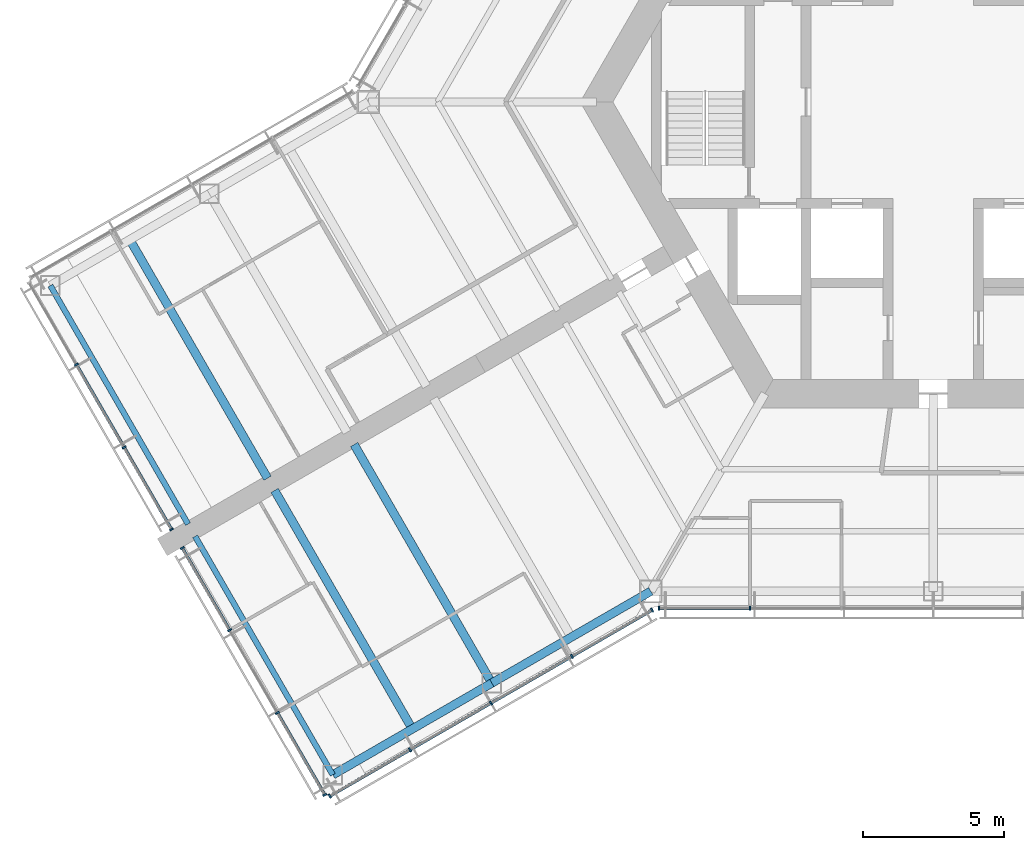
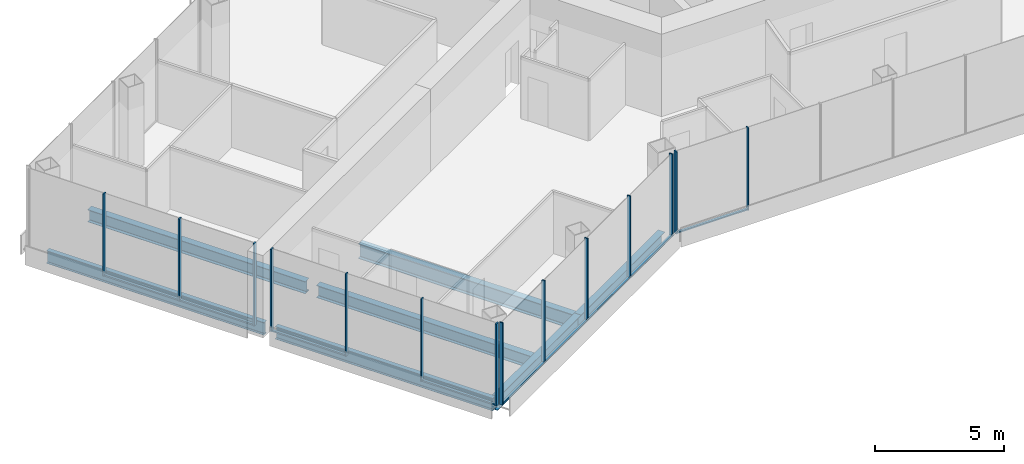
# One storey, part 2 of 18: 23 members, 7 beams, 4 elements without a shape of their own.
"""IFC4 building model written with IfcOpenShell, lengths in metres."""

import ifcopenshell
import ifcopenshell.guid

model = None  # the IFC model being written
_history = None  # IfcOwnerHistory: only IFC2X3 demands one
_inside = {}  # id of a spatial element -> (the spatial element, [elements in it])
_under = {}  # id of a project, library or spatial element -> (it, [spatial elements below it])
_declared = {}  # id of a project -> (the project, [libraries it declares])
_typed = {}  # id of a type object -> (the type object, [elements of that type])
_made_of = {}  # id of a material, layer set ... -> (it, [elements and type objects made of it])


def new_model(schema):
    """Start an empty IFC model of exactly this schema.

    Asked for "IFC4X3", IfcOpenShell would pick the latest addendum, in which some entities
    have other attributes; the version numbers below select the first issue.
    IFC2X3 requires an IfcOwnerHistory on every rooted entity: one is made here for all.
    """
    global model, _history
    if schema == "IFC4X3":
        model = ifcopenshell.file(schema_version=(4, 3, 0, 0))
    else:
        model = ifcopenshell.file(schema=schema)
    _inside.clear()
    _under.clear()
    _declared.clear()
    _typed.clear()
    _made_of.clear()
    _history = None
    if model.schema == "IFC2X3":
        org = make("IfcOrganization", Name="unknown")
        user = make(
            "IfcPersonAndOrganization",
            ThePerson=make("IfcPerson", FamilyName="unknown"),
            TheOrganization=org,
        )
        app = make(
            "IfcApplication",
            ApplicationDeveloper=org,
            Version="unknown",
            ApplicationFullName="unknown",
            ApplicationIdentifier="unknown",
        )
        _history = make(
            "IfcOwnerHistory",
            OwningUser=user,
            OwningApplication=app,
            ChangeAction="ADDED",
            CreationDate=0,
        )
    return model


def make(cls, **values):
    """One entity of the class cls with the attributes given. An attribute that is None is left unset."""
    return model.create_entity(
        cls, **{name: value for name, value in values.items() if value is not None}
    )


def rooted(cls, **values):
    """An entity with a GlobalId (a new one), such as an element, a storey or a relation."""
    return make(cls, GlobalId=ifcopenshell.guid.new(), OwnerHistory=_history, **values)


def si_unit(unit_type, name, prefix=None):
    """IfcSIUnit, for example si_unit("LENGTHUNIT", "METRE", prefix="MILLI")."""
    return make("IfcSIUnit", UnitType=unit_type, Prefix=prefix, Name=name)


def assignment(units):
    """IfcUnitAssignment: the units of a project."""
    return None if units is None else make("IfcUnitAssignment", Units=units)


def point(xyz):
    """IfcCartesianPoint."""
    return None if xyz is None else make("IfcCartesianPoint", Coordinates=xyz)


def direction(xyz):
    """IfcDirection."""
    return None if xyz is None else make("IfcDirection", DirectionRatios=xyz)


def frame(location, z_axis=None, x_axis=None):
    """IfcAxis2Placement3D, a coordinate frame: its origin and axes. An axis left out is left unset."""
    return make(
        "IfcAxis2Placement3D",
        Location=point(location),
        Axis=direction(z_axis),
        RefDirection=direction(x_axis),
    )


def frame_2d(location, x_axis=None):
    """IfcAxis2Placement2D, a coordinate frame in the plane: its origin and x axis."""
    return make(
        "IfcAxis2Placement2D", Location=point(location), RefDirection=direction(x_axis)
    )


def origin():
    """The frame at (0, 0, 0) with its axes left unset."""
    return frame((0.0, 0.0, 0.0))


def origin_2d():
    """The frame at (0, 0) in the plane with its x axis left unset."""
    return frame_2d((0.0, 0.0))


def place(relative_to, where):
    """IfcLocalPlacement: puts the frame where relative to a parent placement (None: the world)."""
    return make(
        "IfcLocalPlacement", PlacementRelTo=relative_to, RelativePlacement=where
    )


def context(
    kind, dimensions, precision=None, world=None, true_north=None, identifier=None
):
    """IfcGeometricRepresentationContext, for example the 3D "Model" context."""
    return make(
        "IfcGeometricRepresentationContext",
        ContextIdentifier=identifier,
        ContextType=kind,
        CoordinateSpaceDimension=dimensions,
        Precision=precision,
        WorldCoordinateSystem=world,
        TrueNorth=true_north,
    )


def subcontext(parent, identifier, kind, view, scale=None):
    """IfcGeometricRepresentationSubContext, for example "Body" below "Model"."""
    return make(
        "IfcGeometricRepresentationSubContext",
        ContextIdentifier=identifier,
        ContextType=kind,
        ParentContext=parent,
        TargetScale=scale,
        TargetView=view,
    )


def project(units=None, contexts=None):
    """IfcProject with its units and contexts."""
    return rooted(
        "IfcProject",
        Name="project",
        RepresentationContexts=contexts,
        UnitsInContext=assignment(units),
    )


def spatial(cls, under=None, at=None, **own):
    """A site, building, storey or space (cls), placed at a placement, below another one or the project."""
    s = rooted(cls, ObjectPlacement=at, **own)
    if under is not None:
        _under.setdefault(under.id(), (under, []))[1].append(s)
    return s


def profile(cls, at=None, kind="AREA", **sizes):
    """A parametric profile (cls). Its sizes go by their IFC names, for example OverallWidth=200.0."""
    return make(cls, ProfileType=kind, Position=at, **sizes)


def rectangle(**sizes):
    """IfcRectangleProfileDef."""
    return profile("IfcRectangleProfileDef", **sizes)


def i_section(**sizes):
    """IfcIShapeProfileDef."""
    return profile("IfcIShapeProfileDef", **sizes)


def extrude(swept, where, along, depth):
    """IfcExtrudedAreaSolid: the profile swept, set in the frame where, extruded along a direction by depth."""
    return make(
        "IfcExtrudedAreaSolid",
        SweptArea=swept,
        Position=where,
        ExtrudedDirection=direction(along),
        Depth=depth,
    )


def shape(context_of_items, identifier, shape_type, items):
    """IfcShapeRepresentation: the items that make up one representation, for example the "Body"."""
    return make(
        "IfcShapeRepresentation",
        ContextOfItems=context_of_items,
        RepresentationIdentifier=identifier,
        RepresentationType=shape_type,
        Items=items,
    )


def material(Name=None, Category=None):
    """IfcMaterial."""
    return make("IfcMaterial", Name=Name, Category=Category)


def material_profile(
    of_material, cross_section, Name=None, Category=None, Priority=None
):
    """IfcMaterialProfile: a cross section and its material."""
    return make(
        "IfcMaterialProfile",
        Name=Name,
        Material=of_material,
        Profile=cross_section,
        Priority=Priority,
        Category=Category,
    )


def profile_set(profiles, Name=None, composite=None):
    """IfcMaterialProfileSet."""
    return make(
        "IfcMaterialProfileSet",
        Name=Name,
        MaterialProfiles=profiles,
        CompositeProfile=composite,
    )


def made_of(thing, what):
    """Note that an element or type object is made of a material, layer set ...; save() writes the relation."""
    if what is not None:
        _made_of.setdefault(what.id(), (what, []))[1].append(thing)
    return thing


def type_object(cls, material=None, **own):
    """A type object (cls), such as IfcWallType, which elements share."""
    return made_of(rooted(cls, **own), material)


def element(
    cls,
    number,
    at=None,
    inside=None,
    cuts=None,
    type_object=None,
    material=None,
    context=None,
    identifier="Body",
    shape_type=None,
    held_by="IfcProductDefinitionShape",
    body=None,
    shapes=None,
    **own,
):
    """One element of the class cls, such as IfcWall. Its Tag is "e" and its number.

    at: its placement. inside: the storey or other place that contains it. cuts: it is an
    opening in that element (IfcRelVoidsElement). A single representation is given by context,
    identifier, shape_type and body (its items); several are given by shapes. held_by: the class
    of the entity that holds the representations. save() writes the other relations.
    """
    e = rooted(cls, Tag="e%d" % number, ObjectPlacement=at, **own)
    if body is not None:
        shapes = [shape(context, identifier, shape_type, body)]
    if shapes is not None:
        e.Representation = make(held_by, Representations=shapes)
    if inside is not None:
        _inside.setdefault(inside.id(), (inside, []))[1].append(e)
    if cuts is not None:
        rooted(
            "IfcRelVoidsElement", RelatingBuildingElement=cuts, RelatedOpeningElement=e
        )
    if type_object is not None:
        _typed.setdefault(type_object.id(), (type_object, []))[1].append(e)
    return made_of(e, material)


def aggregate(whole, parts):
    """IfcRelAggregates: a whole, such as a stair, and the parts it consists of."""
    return rooted("IfcRelAggregates", RelatingObject=whole, RelatedObjects=parts)


def save(model, path):
    """Write the relations noted so far, then the file.

    IfcRelAggregates (storeys below a building ...), IfcRelContainedInSpatialStructure (elements
    in a storey), IfcRelDefinesByType, IfcRelAssociatesMaterial and IfcRelDeclares: one each for
    every whole, place, type object, material and project.
    """
    for whole, parts in _under.values():
        aggregate(whole, parts)
    for where, things in _inside.values():
        rooted(
            "IfcRelContainedInSpatialStructure",
            RelatedElements=things,
            RelatingStructure=where,
        )
    for kind, things in _typed.values():
        rooted("IfcRelDefinesByType", RelatedObjects=things, RelatingType=kind)
    for what, things in _made_of.values():
        rooted("IfcRelAssociatesMaterial", RelatedObjects=things, RelatingMaterial=what)
    for by, libraries in _declared.values():
        rooted("IfcRelDeclares", RelatingContext=by, RelatedDefinitions=libraries)
    model.write(path)


model = new_model("IFC4")

# Units and contexts
model_context = context("Model", 3, precision=1e-05, world=origin(), true_north=direction((0.0, 1.0)))
body_context = subcontext(model_context, "Body", "Model", "MODEL_VIEW")
ifc_project = project(units=[si_unit("LENGTHUNIT", "METRE"), si_unit("AREAUNIT", "SQUARE_METRE"), si_unit("VOLUMEUNIT", "CUBIC_METRE"), si_unit("PLANEANGLEUNIT", "RADIAN"), si_unit("MASSUNIT", "GRAM", prefix="KILO")], contexts=[model_context])

# Site, building, storey
site_placement = place(None, origin())
site = spatial("IfcSite", under=ifc_project, at=site_placement, CompositionType="ELEMENT")
building_placement = place(site_placement, origin())
building = spatial("IfcBuilding", under=site, at=building_placement, Name="Kasaneha Research Tower", CompositionType="ELEMENT")
storey_placement = place(building_placement, frame((0.0, 0.0, 195.5)))
storey = spatial("IfcBuildingStorey", under=building, at=storey_placement, Name="L49", CompositionType="ELEMENT", Elevation=195.5)

# Beams
ifc_material_1 = material(Name="Steel SN490B", Category="steel")
ifc_material_profile_1 = material_profile(ifc_material_1, i_section(OverallWidth=0.300048828125, OverallDepth=0.58203125, WebThickness=0.011962890625, FlangeThickness=0.01708984375, FilletRadius=0.012939453125, at=origin_2d()), Name="H-582x300x12x17")
ifc_profile_set_1 = profile_set([ifc_material_profile_1], Name="Steel SN490B")
beam_type_1 = type_object("IfcBeamType", Name="B2-3 secondary beam H-582x300x12x17", PredefinedType="JOIST", material=ifc_profile_set_1)
for number, where, z_axis, x_axis, name in (
    (1, (-28.44384765625, -4.875, -0.44091796875), (0.499995560238, -0.866027967067, 0.0), (0.866027967067, 0.499995560238, 0.0), "Secondary beam WBBP2 L49"),
    (2, (-18.44384765625, -22.195556640625, -0.44091796875), (-0.499995560238, 0.866027967067, 0.0), (-0.866027967067, -0.499995560238, 0.0), "Secondary beam WBBN2 L49"),
):
    element("IfcBeam", number, at=place(storey_placement, frame(where, z_axis=z_axis, x_axis=x_axis)), inside=storey, type_object=beam_type_1, Name=name, PredefinedType="JOIST", context=body_context, shape_type="SweptSolid", body=[
        extrude(i_section(OverallWidth=0.300048828125, OverallDepth=0.58203125, WebThickness=0.011962890625, FlangeThickness=0.01708984375, FilletRadius=0.012939453125, at=origin_2d()), origin(), (0.0, 0.0, 1.0), 9.75),
    ])

# Curtain wall, members
ifc_material_2 = material(Name="Glass and aluminium", Category="aluminium")
curtain_wall_type = type_object("IfcCurtainWallType", Name="Mid-rise office curtain wall", PredefinedType="USERDEFINED", material=ifc_material_2)
curtain_wall_1_placement = place(storey_placement, origin())
curtain_wall_1 = element("IfcCurtainWall", 3, at=curtain_wall_1_placement, inside=storey, type_object=curtain_wall_type, Name="CW-O2 L49 run 01a", ObjectType="UNITISED CURTAIN WALL", PredefinedType="USERDEFINED")
ifc_material_3 = material(Name="Aluminium 6063-T6", Category="aluminium")
ifc_material_profile_2 = material_profile(ifc_material_3, rectangle(XDim=0.06005859375, YDim=0.14990234375, at=origin_2d()), Name="CW-O2 mullion 60x150")
ifc_profile_set_2 = profile_set([ifc_material_profile_2], Name="Aluminium 6063-T6")
member_type_1 = type_object("IfcMemberType", Name="CW-O2 mullion", PredefinedType="MULLION", material=ifc_profile_set_2)
member_1_placement = place(storey_placement, frame((-9.709228515625, -17.92041015625, 0.0), z_axis=(0.0, 0.0, 1.0), x_axis=(1.0, 0.0, 0.0)))
member_1 = element("IfcMember", 4, at=member_1_placement, type_object=member_type_1, Name="CW-O2 mullion 1", PredefinedType="MULLION", context=body_context, shape_type="SweptSolid", body=[
    extrude(rectangle(XDim=0.06005859375, YDim=0.14990234375, at=origin_2d()), origin(), (0.0, 0.0, 1.0), 3.89990234375),
])
member_2_placement = place(storey_placement, frame((-6.492919921875, -17.92041015625, 0.0), z_axis=(0.0, 0.0, 1.0), x_axis=(1.0, 0.0, 0.0)))
member_2 = element("IfcMember", 5, at=member_2_placement, type_object=member_type_1, Name="CW-O2 mullion 2", PredefinedType="MULLION", context=body_context, shape_type="SweptSolid", body=[
    extrude(rectangle(XDim=0.06005859375, YDim=0.14990234375, at=origin_2d()), origin(), (0.0, 0.0, 1.0), 3.89990234375),
])

curtain_wall_2_placement = place(storey_placement, origin())
curtain_wall_2 = element("IfcCurtainWall", 6, at=curtain_wall_2_placement, inside=storey, type_object=curtain_wall_type, Name="CW-O2 L49 run 10a", ObjectType="UNITISED CURTAIN WALL", PredefinedType="USERDEFINED")
member_3_placement = place(storey_placement, frame((-30.336181640625, -9.297119140625, 0.0), z_axis=(0.0, 0.0, 1.0), x_axis=(0.500000011442, -0.866025397178, 0.0)))
member_3 = element("IfcMember", 7, at=member_3_placement, type_object=member_type_1, Name="CW-O2 mullion 2", PredefinedType="MULLION", context=body_context, shape_type="SweptSolid", body=[
    extrude(rectangle(XDim=0.06005859375, YDim=0.14990234375, at=origin_2d()), origin(), (0.0, 0.0, 1.0), 3.89990234375),
])
member_4_placement = place(storey_placement, frame((-28.64453125, -12.22705078125, 0.0), z_axis=(0.0, 0.0, 1.0), x_axis=(0.500000011442, -0.866025397178, 0.0)))
member_4 = element("IfcMember", 8, at=member_4_placement, type_object=member_type_1, Name="CW-O2 mullion 3", PredefinedType="MULLION", context=body_context, shape_type="SweptSolid", body=[
    extrude(rectangle(XDim=0.06005859375, YDim=0.14990234375, at=origin_2d()), origin(), (0.0, 0.0, 1.0), 3.89990234375),
])
member_5_placement = place(storey_placement, frame((-26.968017578125, -15.131103515625, 0.0), z_axis=(0.0, 0.0, 1.0), x_axis=(0.500000011442, -0.866025397178, 0.0)))
member_5 = element("IfcMember", 9, at=member_5_placement, type_object=member_type_1, Name="CW-O2 mullion 4", PredefinedType="MULLION", context=body_context, shape_type="SweptSolid", body=[
    extrude(rectangle(XDim=0.06005859375, YDim=0.14990234375, at=origin_2d()), origin(), (0.0, 0.0, 1.0), 3.89990234375),
])

curtain_wall_3_placement = place(storey_placement, origin())
curtain_wall_3 = element("IfcCurtainWall", 10, at=curtain_wall_3_placement, inside=storey, type_object=curtain_wall_type, Name="CW-O2 L49 run 11a", ObjectType="UNITISED CURTAIN WALL", PredefinedType="USERDEFINED")
member_6_placement = place(storey_placement, frame((-26.587890625, -15.789306640625, 0.0), z_axis=(0.0, 0.0, 1.0), x_axis=(0.500000011442, -0.866025397178, 0.0)))
member_6 = element("IfcMember", 11, at=member_6_placement, type_object=member_type_1, Name="CW-O2 mullion 1", PredefinedType="MULLION", context=body_context, shape_type="SweptSolid", body=[
    extrude(rectangle(XDim=0.06005859375, YDim=0.14990234375, at=origin_2d()), origin(), (0.0, 0.0, 1.0), 3.89990234375),
])
member_7_placement = place(storey_placement, frame((-24.911376953125, -18.693359375, 0.0), z_axis=(0.0, 0.0, 1.0), x_axis=(0.500000011442, -0.866025397178, 0.0)))
member_7 = element("IfcMember", 12, at=member_7_placement, type_object=member_type_1, Name="CW-O2 mullion 2", PredefinedType="MULLION", context=body_context, shape_type="SweptSolid", body=[
    extrude(rectangle(XDim=0.06005859375, YDim=0.14990234375, at=origin_2d()), origin(), (0.0, 0.0, 1.0), 3.89990234375),
])
member_8_placement = place(storey_placement, frame((-23.2197265625, -21.62353515625, 0.0), z_axis=(0.0, 0.0, 1.0), x_axis=(0.500000011442, -0.866025397178, 0.0)))
member_8 = element("IfcMember", 13, at=member_8_placement, type_object=member_type_1, Name="CW-O2 mullion 3", PredefinedType="MULLION", context=body_context, shape_type="SweptSolid", body=[
    extrude(rectangle(XDim=0.06005859375, YDim=0.14990234375, at=origin_2d()), origin(), (0.0, 0.0, 1.0), 3.89990234375),
])
member_9_placement = place(storey_placement, frame((-21.54296875, -24.527587890625, 0.0), z_axis=(0.0, 0.0, 1.0), x_axis=(0.500000011442, -0.866025397178, 0.0)))
member_9 = element("IfcMember", 14, at=member_9_placement, type_object=member_type_1, Name="CW-O2 mullion 4", PredefinedType="MULLION", context=body_context, shape_type="SweptSolid", body=[
    extrude(rectangle(XDim=0.06005859375, YDim=0.14990234375, at=origin_2d()), origin(), (0.0, 0.0, 1.0), 3.89990234375),
])

curtain_wall_4_placement = place(storey_placement, origin())
curtain_wall_4 = element("IfcCurtainWall", 15, at=curtain_wall_4_placement, inside=storey, type_object=curtain_wall_type, Name="CW-O2 L49 run 12a", ObjectType="UNITISED CURTAIN WALL", PredefinedType="USERDEFINED")
member_10_placement = place(storey_placement, frame((-21.365478515625, -24.5751953125, 0.0), z_axis=(0.0, 0.0, 1.0), x_axis=(0.866025411464, 0.499999986699, 0.0)))
member_10 = element("IfcMember", 16, at=member_10_placement, type_object=member_type_1, Name="CW-O2 mullion 1", PredefinedType="MULLION", context=body_context, shape_type="SweptSolid", body=[
    extrude(rectangle(XDim=0.06005859375, YDim=0.14990234375, at=origin_2d()), origin(), (0.0, 0.0, 1.0), 3.89990234375),
])
member_11_placement = place(storey_placement, frame((-18.52490234375, -22.935302734375, 0.0), z_axis=(0.0, 0.0, 1.0), x_axis=(0.866025411464, 0.499999986699, 0.0)))
member_11 = element("IfcMember", 17, at=member_11_placement, type_object=member_type_1, Name="CW-O2 mullion 2", PredefinedType="MULLION", context=body_context, shape_type="SweptSolid", body=[
    extrude(rectangle(XDim=0.06005859375, YDim=0.14990234375, at=origin_2d()), origin(), (0.0, 0.0, 1.0), 3.89990234375),
])
member_12_placement = place(storey_placement, frame((-15.65869140625, -21.2802734375, 0.0), z_axis=(0.0, 0.0, 1.0), x_axis=(0.866025411464, 0.499999986699, 0.0)))
member_12 = element("IfcMember", 18, at=member_12_placement, type_object=member_type_1, Name="CW-O2 mullion 3", PredefinedType="MULLION", context=body_context, shape_type="SweptSolid", body=[
    extrude(rectangle(XDim=0.06005859375, YDim=0.14990234375, at=origin_2d()), origin(), (0.0, 0.0, 1.0), 3.89990234375),
])
member_13_placement = place(storey_placement, frame((-12.792236328125, -19.62548828125, 0.0), z_axis=(0.0, 0.0, 1.0), x_axis=(0.866025411464, 0.499999986699, 0.0)))
member_13 = element("IfcMember", 19, at=member_13_placement, type_object=member_type_1, Name="CW-O2 mullion 4", PredefinedType="MULLION", context=body_context, shape_type="SweptSolid", body=[
    extrude(rectangle(XDim=0.06005859375, YDim=0.14990234375, at=origin_2d()), origin(), (0.0, 0.0, 1.0), 3.89990234375),
])
member_14_placement = place(storey_placement, frame((-9.951904296875, -17.985595703125, 0.0), z_axis=(0.0, 0.0, 1.0), x_axis=(0.866025411464, 0.499999986699, 0.0)))
member_14 = element("IfcMember", 20, at=member_14_placement, type_object=member_type_1, Name="CW-O2 mullion 5", PredefinedType="MULLION", context=body_context, shape_type="SweptSolid", body=[
    extrude(rectangle(XDim=0.06005859375, YDim=0.14990234375, at=origin_2d()), origin(), (0.0, 0.0, 1.0), 3.89990234375),
])

# Member
ifc_material_4 = material(Name="Aluminium 6063-T6", Category="aluminium")
ifc_material_profile_3 = material_profile(ifc_material_4, rectangle(XDim=0.110107421875, YDim=0.06005859375, at=origin_2d()), Name="CW-O2 transom 110x60")
ifc_profile_set_3 = profile_set([ifc_material_profile_3], Name="Aluminium 6063-T6")
member_type_2 = type_object("IfcMemberType", Name="CW-O2 transom", PredefinedType="USERDEFINED", material=ifc_profile_set_3)
member_15_placement = place(storey_placement, frame((-9.67919921875, -17.92041015625, 0.030029296875), z_axis=(1.0, 0.0, 0.0), x_axis=(0.0, 1.0, 0.0)))
member_15 = element("IfcMember", 21, at=member_15_placement, type_object=member_type_2, Name="CW-O2 transom 1", ObjectType="TRANSOM", PredefinedType="USERDEFINED", context=body_context, shape_type="SweptSolid", body=[
    extrude(rectangle(XDim=0.110107421875, YDim=0.06005859375, at=origin_2d()), origin(), (0.0, 0.0, 1.0), 3.156494140625),
])

aggregate(curtain_wall_1, [member_1, member_2, member_15])

member_16_placement = place(storey_placement, frame((-30.3212890625, -9.322998046875, 0.030029296875), z_axis=(0.499978935311, -0.866037565146, 0.0), x_axis=(0.866037565146, 0.499978935311, 0.0)))
member_16 = element("IfcMember", 22, at=member_16_placement, type_object=member_type_2, Name="CW-O2 transom 2", ObjectType="TRANSOM", PredefinedType="USERDEFINED", context=body_context, shape_type="SweptSolid", body=[
    extrude(rectangle(XDim=0.110107421875, YDim=0.06005859375, at=origin_2d()), origin(), (0.0, 0.0, 1.0), 3.323486328125),
])

member_17_placement = place(storey_placement, frame((-28.629638671875, -12.253173828125, 0.030029296875), z_axis=(0.500021914551, -0.866012751043, 0.0), x_axis=(0.866012751043, 0.500021914551, 0.0)))
member_17 = element("IfcMember", 23, at=member_17_placement, type_object=member_type_2, Name="CW-O2 transom 3", ObjectType="TRANSOM", PredefinedType="USERDEFINED", context=body_context, shape_type="SweptSolid", body=[
    extrude(rectangle(XDim=0.110107421875, YDim=0.06005859375, at=origin_2d()), origin(), (0.0, 0.0, 1.0), 3.293212890625),
])

aggregate(curtain_wall_2, [member_3, member_4, member_5, member_16, member_17])

member_18_placement = place(storey_placement, frame((-26.572998046875, -15.8154296875, 0.030029296875), z_axis=(0.500021914551, -0.866012751043, 0.0), x_axis=(0.866012751043, 0.500021914551, 0.0)))
member_18 = element("IfcMember", 24, at=member_18_placement, type_object=member_type_2, Name="CW-O2 transom 1", ObjectType="TRANSOM", PredefinedType="USERDEFINED", context=body_context, shape_type="SweptSolid", body=[
    extrude(rectangle(XDim=0.110107421875, YDim=0.06005859375, at=origin_2d()), origin(), (0.0, 0.0, 1.0), 3.293212890625),
])

member_19_placement = place(storey_placement, frame((-23.20458984375, -21.6494140625, 0.030029296875), z_axis=(0.500021914551, -0.866012751043, 0.0), x_axis=(0.866012751043, 0.500021914551, 0.0)))
member_19 = element("IfcMember", 25, at=member_19_placement, type_object=member_type_2, Name="CW-O2 transom 3", ObjectType="TRANSOM", PredefinedType="USERDEFINED", context=body_context, shape_type="SweptSolid", body=[
    extrude(rectangle(XDim=0.110107421875, YDim=0.06005859375, at=origin_2d()), origin(), (0.0, 0.0, 1.0), 3.293212890625),
])

aggregate(curtain_wall_3, [member_6, member_7, member_8, member_9, member_18, member_19])

member_20_placement = place(storey_placement, frame((-21.33935546875, -24.56005859375, 0.030029296875), z_axis=(0.866022692473, 0.500004696101, 0.0), x_axis=(-0.500004696101, 0.866022692473, 0.0)))
member_20 = element("IfcMember", 26, at=member_20_placement, type_object=member_type_2, Name="CW-O2 transom 1", ObjectType="TRANSOM", PredefinedType="USERDEFINED", context=body_context, shape_type="SweptSolid", body=[
    extrude(rectangle(XDim=0.110107421875, YDim=0.06005859375, at=origin_2d()), origin(), (0.0, 0.0, 1.0), 3.2197265625),
])

member_21_placement = place(storey_placement, frame((-18.4990234375, -22.920166015625, 0.030029296875), z_axis=(0.86604797581, 0.499960902066, 0.0), x_axis=(-0.499960902066, 0.86604797581, 0.0)))
member_21 = element("IfcMember", 27, at=member_21_placement, type_object=member_type_2, Name="CW-O2 transom 2", ObjectType="TRANSOM", PredefinedType="USERDEFINED", context=body_context, shape_type="SweptSolid", body=[
    extrude(rectangle(XDim=0.110107421875, YDim=0.06005859375, at=origin_2d()), origin(), (0.0, 0.0, 1.0), 3.249755859375),
])

member_22_placement = place(storey_placement, frame((-15.632568359375, -21.265380859375, 0.030029296875), z_axis=(0.866015446554, 0.500017246033, 0.0), x_axis=(-0.500017246033, 0.866015446554, 0.0)))
member_22 = element("IfcMember", 28, at=member_22_placement, type_object=member_type_2, Name="CW-O2 transom 3", ObjectType="TRANSOM", PredefinedType="USERDEFINED", context=body_context, shape_type="SweptSolid", body=[
    extrude(rectangle(XDim=0.110107421875, YDim=0.06005859375, at=origin_2d()), origin(), (0.0, 0.0, 1.0), 3.25),
])

member_23_placement = place(storey_placement, frame((-12.76611328125, -19.6103515625, 0.030029296875), z_axis=(0.866022692473, 0.500004696101, 0.0), x_axis=(-0.500004696101, 0.866022692473, 0.0)))
member_23 = element("IfcMember", 29, at=member_23_placement, type_object=member_type_2, Name="CW-O2 transom 4", ObjectType="TRANSOM", PredefinedType="USERDEFINED", context=body_context, shape_type="SweptSolid", body=[
    extrude(rectangle(XDim=0.110107421875, YDim=0.06005859375, at=origin_2d()), origin(), (0.0, 0.0, 1.0), 3.2197265625),
])

aggregate(curtain_wall_4, [member_10, member_11, member_12, member_13, member_14, member_20, member_21, member_22, member_23])

# Beams
ifc_material_5 = material(Name="Steel SN490B", Category="steel")
ifc_material_profile_4 = material_profile(ifc_material_5, i_section(OverallWidth=0.300048828125, OverallDepth=0.699951171875, WebThickness=0.012939453125, FlangeThickness=0.02392578125, FilletRadius=0.01806640625, at=origin_2d()), Name="H-700x300x13x24")
ifc_profile_set_4 = profile_set([ifc_material_profile_4], Name="Steel SN490B")
beam_type_2 = type_object("IfcBeamType", Name="G4-3 wing girder H-700x300x13x24", PredefinedType="BEAM", material=ifc_profile_set_4)
beam_placement = place(storey_placement, frame((-15.629150390625, -20.570556640625, -0.5), z_axis=(-0.499995560238, 0.866027967067, 0.0), x_axis=(-0.866027967067, -0.499995560238, 0.0)))
element("IfcBeam", 30, at=beam_placement, inside=storey, type_object=beam_type_2, Name="Wing girder WGBN L49", PredefinedType="BEAM", context=body_context, shape_type="SweptSolid", body=[
    extrude(i_section(OverallWidth=0.300048828125, OverallDepth=0.699951171875, WebThickness=0.012939453125, FlangeThickness=0.02392578125, FilletRadius=0.01806640625, at=origin_2d()), origin(), (0.0, 0.0, 1.0), 9.75),
])
ifc_material_6 = material(Name="Steel SN490B", Category="steel")
ifc_material_profile_5 = material_profile(ifc_material_6, i_section(OverallWidth=0.300048828125, OverallDepth=0.58203125, WebThickness=0.011962890625, FlangeThickness=0.01708984375, FilletRadius=0.012939453125, at=origin_2d()), Name="H-582x300x12x17")
ifc_profile_set_5 = profile_set([ifc_material_profile_5], Name="Steel SN490B")
beam_type_3 = type_object("IfcBeamType", Name="SB2-3 spandrel beam H-582x300x12x17", PredefinedType="SPANDREL", material=ifc_profile_set_5)
for number, where, z_axis, x_axis, name in (
    (31, (-10.0, -17.320556640625, -0.44091796875), (-0.866024837091, -0.50000098154, 0.0), (0.50000098154, -0.866024837091, 0.0), "Spandrel beam WSBN1 L49"),
    (32, (-15.629150390625, -20.570556640625, -0.44091796875), (-0.866024837091, -0.50000098154, 0.0), (0.50000098154, -0.866024837091, 0.0), "Spandrel beam WSBN2 L49"),
):
    element("IfcBeam", number, at=place(storey_placement, frame(where, z_axis=z_axis, x_axis=x_axis)), inside=storey, type_object=beam_type_3, Name=name, PredefinedType="SPANDREL", context=body_context, shape_type="SweptSolid", body=[
        extrude(i_section(OverallWidth=0.300048828125, OverallDepth=0.58203125, WebThickness=0.011962890625, FlangeThickness=0.01708984375, FilletRadius=0.012939453125, at=origin_2d()), origin(), (0.0, 0.0, 1.0), 6.5),
    ])
ifc_material_7 = material(Name="Steel SN490B", Category="steel")
ifc_material_profile_6 = material_profile(ifc_material_7, i_section(OverallWidth=0.199951171875, OverallDepth=0.60009765625, WebThickness=0.010986328125, FlangeThickness=0.01708984375, FilletRadius=0.012939453125, at=origin_2d()), Name="H-600x200x11x17")
ifc_profile_set_6 = profile_set([ifc_material_profile_6], Name="Steel SN490B")
beam_type_4 = type_object("IfcBeamType", Name="SB3-3 spandrel beam H-600x200x11x17", PredefinedType="SPANDREL", material=ifc_profile_set_6)
for number, where, z_axis, x_axis, name in (
    (33, (-31.25830078125, -6.5, -0.449951171875), (0.499995560238, -0.866027967067, 0.0), (0.866027967067, 0.499995560238, 0.0), "Spandrel beam WTBP L49"),
    (34, (-21.25830078125, -23.820556640625, -0.449951171875), (-0.499995560238, 0.866027967067, 0.0), (-0.866027967067, -0.499995560238, 0.0), "Spandrel beam WTBN L49"),
):
    element("IfcBeam", number, at=place(storey_placement, frame(where, z_axis=z_axis, x_axis=x_axis)), inside=storey, type_object=beam_type_4, Name=name, PredefinedType="SPANDREL", context=body_context, shape_type="SweptSolid", body=[
        extrude(i_section(OverallWidth=0.199951171875, OverallDepth=0.60009765625, WebThickness=0.010986328125, FlangeThickness=0.01708984375, FilletRadius=0.012939453125, at=origin_2d()), origin(), (0.0, 0.0, 1.0), 9.75),
    ])

save(model, "model.ifc")
